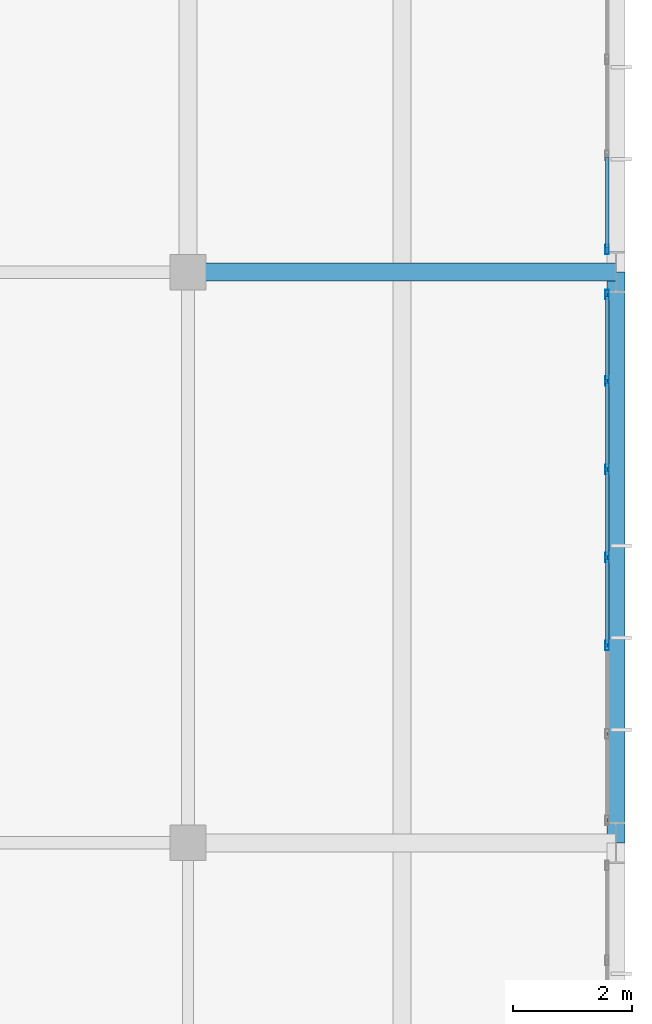
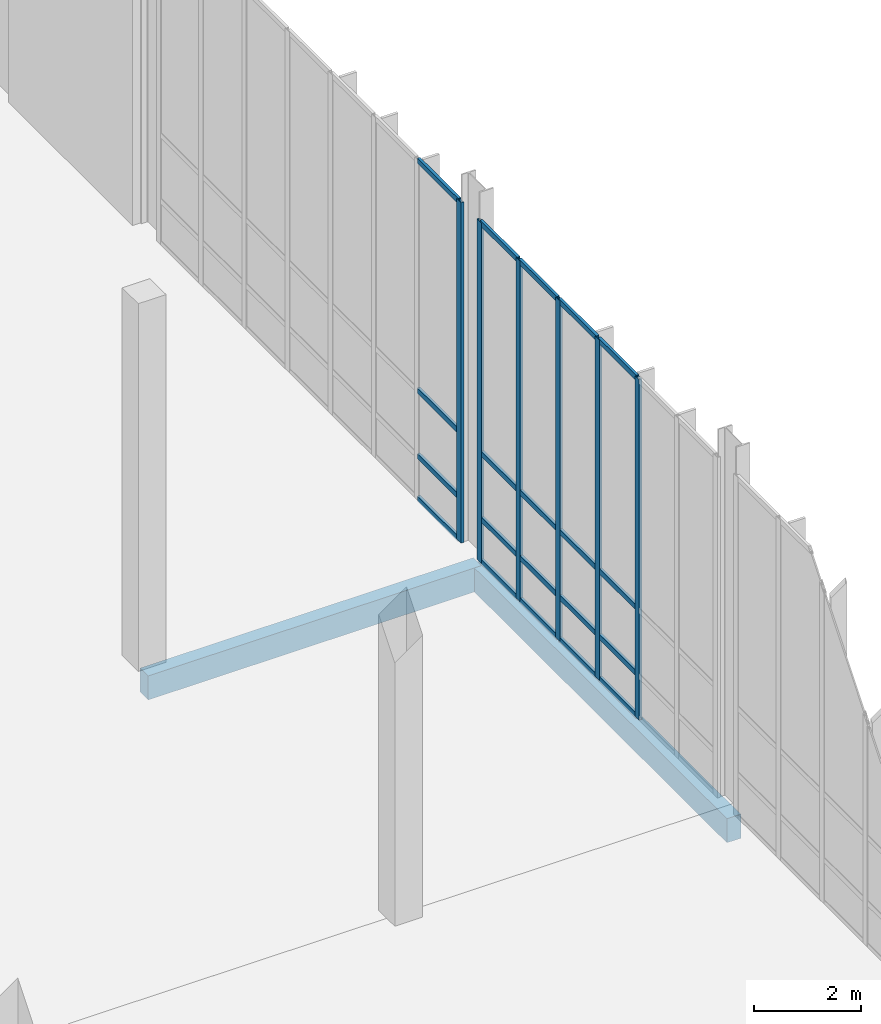
# One storey, part 94 of 131: 26 members, 2 beams, 2 elements without a shape of their own.
"""IFC4 building model written with IfcOpenShell, lengths in metres."""

import ifcopenshell
import ifcopenshell.guid

model = None  # the IFC model being written
_history = None  # IfcOwnerHistory: only IFC2X3 demands one
_inside = {}  # id of a spatial element -> (the spatial element, [elements in it])
_under = {}  # id of a project, library or spatial element -> (it, [spatial elements below it])
_declared = {}  # id of a project -> (the project, [libraries it declares])
_typed = {}  # id of a type object -> (the type object, [elements of that type])
_made_of = {}  # id of a material, layer set ... -> (it, [elements and type objects made of it])


def new_model(schema):
    """Start an empty IFC model of exactly this schema.

    Asked for "IFC4X3", IfcOpenShell would pick the latest addendum, in which some entities
    have other attributes; the version numbers below select the first issue.
    IFC2X3 requires an IfcOwnerHistory on every rooted entity: one is made here for all.
    """
    global model, _history
    if schema == "IFC4X3":
        model = ifcopenshell.file(schema_version=(4, 3, 0, 0))
    else:
        model = ifcopenshell.file(schema=schema)
    _inside.clear()
    _under.clear()
    _declared.clear()
    _typed.clear()
    _made_of.clear()
    _history = None
    if model.schema == "IFC2X3":
        org = make("IfcOrganization", Name="unknown")
        user = make(
            "IfcPersonAndOrganization",
            ThePerson=make("IfcPerson", FamilyName="unknown"),
            TheOrganization=org,
        )
        app = make(
            "IfcApplication",
            ApplicationDeveloper=org,
            Version="unknown",
            ApplicationFullName="unknown",
            ApplicationIdentifier="unknown",
        )
        _history = make(
            "IfcOwnerHistory",
            OwningUser=user,
            OwningApplication=app,
            ChangeAction="ADDED",
            CreationDate=0,
        )
    return model


def make(cls, **values):
    """One entity of the class cls with the attributes given. An attribute that is None is left unset."""
    return model.create_entity(
        cls, **{name: value for name, value in values.items() if value is not None}
    )


def rooted(cls, **values):
    """An entity with a GlobalId (a new one), such as an element, a storey or a relation."""
    return make(cls, GlobalId=ifcopenshell.guid.new(), OwnerHistory=_history, **values)


def si_unit(unit_type, name, prefix=None):
    """IfcSIUnit, for example si_unit("LENGTHUNIT", "METRE", prefix="MILLI")."""
    return make("IfcSIUnit", UnitType=unit_type, Prefix=prefix, Name=name)


def assignment(units):
    """IfcUnitAssignment: the units of a project."""
    return None if units is None else make("IfcUnitAssignment", Units=units)


def point(xyz):
    """IfcCartesianPoint."""
    return None if xyz is None else make("IfcCartesianPoint", Coordinates=xyz)


def direction(xyz):
    """IfcDirection."""
    return None if xyz is None else make("IfcDirection", DirectionRatios=xyz)


def frame(location, z_axis=None, x_axis=None):
    """IfcAxis2Placement3D, a coordinate frame: its origin and axes. An axis left out is left unset."""
    return make(
        "IfcAxis2Placement3D",
        Location=point(location),
        Axis=direction(z_axis),
        RefDirection=direction(x_axis),
    )


def frame_2d(location, x_axis=None):
    """IfcAxis2Placement2D, a coordinate frame in the plane: its origin and x axis."""
    return make(
        "IfcAxis2Placement2D", Location=point(location), RefDirection=direction(x_axis)
    )


def origin():
    """The frame at (0, 0, 0) with its axes left unset."""
    return frame((0.0, 0.0, 0.0))


def origin_2d():
    """The frame at (0, 0) in the plane with its x axis left unset."""
    return frame_2d((0.0, 0.0))


def place(relative_to, where):
    """IfcLocalPlacement: puts the frame where relative to a parent placement (None: the world)."""
    return make(
        "IfcLocalPlacement", PlacementRelTo=relative_to, RelativePlacement=where
    )


def context(
    kind, dimensions, precision=None, world=None, true_north=None, identifier=None
):
    """IfcGeometricRepresentationContext, for example the 3D "Model" context."""
    return make(
        "IfcGeometricRepresentationContext",
        ContextIdentifier=identifier,
        ContextType=kind,
        CoordinateSpaceDimension=dimensions,
        Precision=precision,
        WorldCoordinateSystem=world,
        TrueNorth=true_north,
    )


def subcontext(parent, identifier, kind, view, scale=None):
    """IfcGeometricRepresentationSubContext, for example "Body" below "Model"."""
    return make(
        "IfcGeometricRepresentationSubContext",
        ContextIdentifier=identifier,
        ContextType=kind,
        ParentContext=parent,
        TargetScale=scale,
        TargetView=view,
    )


def project(units=None, contexts=None):
    """IfcProject with its units and contexts."""
    return rooted(
        "IfcProject",
        Name="project",
        RepresentationContexts=contexts,
        UnitsInContext=assignment(units),
    )


def spatial(cls, under=None, at=None, **own):
    """A site, building, storey or space (cls), placed at a placement, below another one or the project."""
    s = rooted(cls, ObjectPlacement=at, **own)
    if under is not None:
        _under.setdefault(under.id(), (under, []))[1].append(s)
    return s


def profile(cls, at=None, kind="AREA", **sizes):
    """A parametric profile (cls). Its sizes go by their IFC names, for example OverallWidth=200.0."""
    return make(cls, ProfileType=kind, Position=at, **sizes)


def rectangle(**sizes):
    """IfcRectangleProfileDef."""
    return profile("IfcRectangleProfileDef", **sizes)


def hollow_rectangle(**sizes):
    """IfcRectangleHollowProfileDef."""
    return profile("IfcRectangleHollowProfileDef", **sizes)


def extrude(swept, where, along, depth):
    """IfcExtrudedAreaSolid: the profile swept, set in the frame where, extruded along a direction by depth."""
    return make(
        "IfcExtrudedAreaSolid",
        SweptArea=swept,
        Position=where,
        ExtrudedDirection=direction(along),
        Depth=depth,
    )


def shape(context_of_items, identifier, shape_type, items):
    """IfcShapeRepresentation: the items that make up one representation, for example the "Body"."""
    return make(
        "IfcShapeRepresentation",
        ContextOfItems=context_of_items,
        RepresentationIdentifier=identifier,
        RepresentationType=shape_type,
        Items=items,
    )


def material(Name=None, Category=None):
    """IfcMaterial."""
    return make("IfcMaterial", Name=Name, Category=Category)


def material_profile(
    of_material, cross_section, Name=None, Category=None, Priority=None
):
    """IfcMaterialProfile: a cross section and its material."""
    return make(
        "IfcMaterialProfile",
        Name=Name,
        Material=of_material,
        Profile=cross_section,
        Priority=Priority,
        Category=Category,
    )


def profile_set(profiles, Name=None, composite=None):
    """IfcMaterialProfileSet."""
    return make(
        "IfcMaterialProfileSet",
        Name=Name,
        MaterialProfiles=profiles,
        CompositeProfile=composite,
    )


def made_of(thing, what):
    """Note that an element or type object is made of a material, layer set ...; save() writes the relation."""
    if what is not None:
        _made_of.setdefault(what.id(), (what, []))[1].append(thing)
    return thing


def type_object(cls, material=None, **own):
    """A type object (cls), such as IfcWallType, which elements share."""
    return made_of(rooted(cls, **own), material)


def element(
    cls,
    number,
    at=None,
    inside=None,
    cuts=None,
    type_object=None,
    material=None,
    context=None,
    identifier="Body",
    shape_type=None,
    held_by="IfcProductDefinitionShape",
    body=None,
    shapes=None,
    **own,
):
    """One element of the class cls, such as IfcWall. Its Tag is "e" and its number.

    at: its placement. inside: the storey or other place that contains it. cuts: it is an
    opening in that element (IfcRelVoidsElement). A single representation is given by context,
    identifier, shape_type and body (its items); several are given by shapes. held_by: the class
    of the entity that holds the representations. save() writes the other relations.
    """
    e = rooted(cls, Tag="e%d" % number, ObjectPlacement=at, **own)
    if body is not None:
        shapes = [shape(context, identifier, shape_type, body)]
    if shapes is not None:
        e.Representation = make(held_by, Representations=shapes)
    if inside is not None:
        _inside.setdefault(inside.id(), (inside, []))[1].append(e)
    if cuts is not None:
        rooted(
            "IfcRelVoidsElement", RelatingBuildingElement=cuts, RelatedOpeningElement=e
        )
    if type_object is not None:
        _typed.setdefault(type_object.id(), (type_object, []))[1].append(e)
    return made_of(e, material)


def aggregate(whole, parts):
    """IfcRelAggregates: a whole, such as a stair, and the parts it consists of."""
    return rooted("IfcRelAggregates", RelatingObject=whole, RelatedObjects=parts)


def save(model, path):
    """Write the relations noted so far, then the file.

    IfcRelAggregates (storeys below a building ...), IfcRelContainedInSpatialStructure (elements
    in a storey), IfcRelDefinesByType, IfcRelAssociatesMaterial and IfcRelDeclares: one each for
    every whole, place, type object, material and project.
    """
    for whole, parts in _under.values():
        aggregate(whole, parts)
    for where, things in _inside.values():
        rooted(
            "IfcRelContainedInSpatialStructure",
            RelatedElements=things,
            RelatingStructure=where,
        )
    for kind, things in _typed.values():
        rooted("IfcRelDefinesByType", RelatedObjects=things, RelatingType=kind)
    for what, things in _made_of.values():
        rooted("IfcRelAssociatesMaterial", RelatedObjects=things, RelatingMaterial=what)
    for by, libraries in _declared.values():
        rooted("IfcRelDeclares", RelatingContext=by, RelatedDefinitions=libraries)
    model.write(path)


model = new_model("IFC4")

# Units and contexts
model_context = context("Model", 3, precision=1e-05, world=origin(), true_north=direction((0.0, 1.0)))
body_context = subcontext(model_context, "Body", "Model", "MODEL_VIEW")
ifc_project = project(units=[si_unit("LENGTHUNIT", "METRE"), si_unit("AREAUNIT", "SQUARE_METRE"), si_unit("VOLUMEUNIT", "CUBIC_METRE"), si_unit("PLANEANGLEUNIT", "RADIAN"), si_unit("MASSUNIT", "GRAM", prefix="KILO")], contexts=[model_context])

# Site, building, storey
site_placement = place(None, origin())
site = spatial("IfcSite", under=ifc_project, at=site_placement, CompositionType="ELEMENT")
building_placement = place(site_placement, origin())
building = spatial("IfcBuilding", under=site, at=building_placement, Name="Veltarok Museum of Natural Sciences", CompositionType="ELEMENT")
storey_placement = place(building_placement, origin())
storey = spatial("IfcBuildingStorey", under=building, at=storey_placement, Name="L00", CompositionType="ELEMENT", Elevation=0.0)

# Curtain wall, members
ifc_material_1 = material(Name="Low-iron triple insulated glass", Category="glass")
curtain_wall_type_1 = type_object("IfcCurtainWallType", Name="Curtain Wall System CW-V5E-L00-D-890x778 (V5 East Lab L00 D-E 890x778cm)", PredefinedType="NOTDEFINED", material=ifc_material_1)
curtain_wall_1_placement = place(storey_placement, origin())
curtain_wall_1 = element("IfcCurtainWall", 1, at=curtain_wall_1_placement, inside=storey, type_object=curtain_wall_type_1, Name="Curtain Wall CW-V5E-L00-D-890x778 CW-0101", PredefinedType="NOTDEFINED")
ifc_material_2 = material(Name="Thermally broken anodised aluminium", Category="aluminium")
ifc_material_profile_1 = material_profile(ifc_material_2, hollow_rectangle(XDim=0.06005859375, YDim=0.1201171875, WallThickness=0.0048828125, at=origin_2d()), Name="CW TRANSOM 60x120x5")
ifc_profile_set_1 = profile_set([ifc_material_profile_1], Name="Thermally broken anodised aluminium")
member_type_1 = type_object("IfcMemberType", Name="Curtain Wall Horizontal Transom 60x120x5", PredefinedType="USERDEFINED", material=ifc_profile_set_1)
member_1_placement = place(storey_placement, frame((164.64990234375, 29.74658203125, 0.030029296875), z_axis=(0.0, 1.0, 0.0), x_axis=(-1.0, 0.0, 0.0)))
member_1 = element("IfcMember", 2, at=member_1_placement, type_object=member_type_1, Name="CW-V5E-L00-D-890x778 transom 3.1", ObjectType="TRANSOM", PredefinedType="USERDEFINED", context=body_context, shape_type="SweptSolid", body=[
    extrude(hollow_rectangle(XDim=0.06005859375, YDim=0.1201171875, WallThickness=0.0048828125, at=origin_2d()), origin(), (0.0, 0.0, 1.0), 1.42333984375),
])
member_2_placement = place(storey_placement, frame((164.64990234375, 29.74658203125, 1.0), z_axis=(0.0, 1.0, 0.0), x_axis=(-1.0, 0.0, 0.0)))
member_2 = element("IfcMember", 3, at=member_2_placement, type_object=member_type_1, Name="CW-V5E-L00-D-890x778 transom 3.2", ObjectType="TRANSOM", PredefinedType="USERDEFINED", context=body_context, shape_type="SweptSolid", body=[
    extrude(hollow_rectangle(XDim=0.06005859375, YDim=0.1201171875, WallThickness=0.0048828125, at=origin_2d()), origin(), (0.0, 0.0, 1.0), 1.42333984375),
])
member_3_placement = place(storey_placement, frame((164.64990234375, 29.74658203125, 2.5), z_axis=(0.0, 1.0, 0.0), x_axis=(-1.0, 0.0, 0.0)))
member_3 = element("IfcMember", 4, at=member_3_placement, type_object=member_type_1, Name="CW-V5E-L00-D-890x778 transom 3.3", ObjectType="TRANSOM", PredefinedType="USERDEFINED", context=body_context, shape_type="SweptSolid", body=[
    extrude(hollow_rectangle(XDim=0.06005859375, YDim=0.1201171875, WallThickness=0.0048828125, at=origin_2d()), origin(), (0.0, 0.0, 1.0), 1.42333984375),
])
member_4_placement = place(storey_placement, frame((164.64990234375, 29.74658203125, 7.75), z_axis=(0.0, 1.0, 0.0), x_axis=(-1.0, 0.0, 0.0)))
member_4 = element("IfcMember", 5, at=member_4_placement, type_object=member_type_1, Name="CW-V5E-L00-D-890x778 transom 3.4", ObjectType="TRANSOM", PredefinedType="USERDEFINED", context=body_context, shape_type="SweptSolid", body=[
    extrude(hollow_rectangle(XDim=0.06005859375, YDim=0.1201171875, WallThickness=0.0048828125, at=origin_2d()), origin(), (0.0, 0.0, 1.0), 1.42333984375),
])
member_5_placement = place(storey_placement, frame((164.64990234375, 31.22998046875, 0.030029296875), z_axis=(0.0, 1.0, 0.0), x_axis=(-1.0, 0.0, 0.0)))
member_5 = element("IfcMember", 6, at=member_5_placement, type_object=member_type_1, Name="CW-V5E-L00-D-890x778 transom 4.1", ObjectType="TRANSOM", PredefinedType="USERDEFINED", context=body_context, shape_type="SweptSolid", body=[
    extrude(hollow_rectangle(XDim=0.06005859375, YDim=0.1201171875, WallThickness=0.0048828125, at=origin_2d()), origin(), (0.0, 0.0, 1.0), 1.42333984375),
])
member_6_placement = place(storey_placement, frame((164.64990234375, 31.22998046875, 1.0), z_axis=(0.0, 1.0, 0.0), x_axis=(-1.0, 0.0, 0.0)))
member_6 = element("IfcMember", 7, at=member_6_placement, type_object=member_type_1, Name="CW-V5E-L00-D-890x778 transom 4.2", ObjectType="TRANSOM", PredefinedType="USERDEFINED", context=body_context, shape_type="SweptSolid", body=[
    extrude(hollow_rectangle(XDim=0.06005859375, YDim=0.1201171875, WallThickness=0.0048828125, at=origin_2d()), origin(), (0.0, 0.0, 1.0), 1.42333984375),
])
member_7_placement = place(storey_placement, frame((164.64990234375, 31.22998046875, 2.5), z_axis=(0.0, 1.0, 0.0), x_axis=(-1.0, 0.0, 0.0)))
member_7 = element("IfcMember", 8, at=member_7_placement, type_object=member_type_1, Name="CW-V5E-L00-D-890x778 transom 4.3", ObjectType="TRANSOM", PredefinedType="USERDEFINED", context=body_context, shape_type="SweptSolid", body=[
    extrude(hollow_rectangle(XDim=0.06005859375, YDim=0.1201171875, WallThickness=0.0048828125, at=origin_2d()), origin(), (0.0, 0.0, 1.0), 1.42333984375),
])
member_8_placement = place(storey_placement, frame((164.64990234375, 31.22998046875, 7.75), z_axis=(0.0, 1.0, 0.0), x_axis=(-1.0, 0.0, 0.0)))
member_8 = element("IfcMember", 9, at=member_8_placement, type_object=member_type_1, Name="CW-V5E-L00-D-890x778 transom 4.4", ObjectType="TRANSOM", PredefinedType="USERDEFINED", context=body_context, shape_type="SweptSolid", body=[
    extrude(hollow_rectangle(XDim=0.06005859375, YDim=0.1201171875, WallThickness=0.0048828125, at=origin_2d()), origin(), (0.0, 0.0, 1.0), 1.42333984375),
])
member_9_placement = place(storey_placement, frame((164.64990234375, 32.71337890625, 0.030029296875), z_axis=(0.0, 1.0, 0.0), x_axis=(-1.0, 0.0, 0.0)))
member_9 = element("IfcMember", 10, at=member_9_placement, type_object=member_type_1, Name="CW-V5E-L00-D-890x778 transom 5.1", ObjectType="TRANSOM", PredefinedType="USERDEFINED", context=body_context, shape_type="SweptSolid", body=[
    extrude(hollow_rectangle(XDim=0.06005859375, YDim=0.1201171875, WallThickness=0.0048828125, at=origin_2d()), origin(), (0.0, 0.0, 1.0), 1.42333984375),
])
member_10_placement = place(storey_placement, frame((164.64990234375, 32.71337890625, 1.0), z_axis=(0.0, 1.0, 0.0), x_axis=(-1.0, 0.0, 0.0)))
member_10 = element("IfcMember", 11, at=member_10_placement, type_object=member_type_1, Name="CW-V5E-L00-D-890x778 transom 5.2", ObjectType="TRANSOM", PredefinedType="USERDEFINED", context=body_context, shape_type="SweptSolid", body=[
    extrude(hollow_rectangle(XDim=0.06005859375, YDim=0.1201171875, WallThickness=0.0048828125, at=origin_2d()), origin(), (0.0, 0.0, 1.0), 1.42333984375),
])
member_11_placement = place(storey_placement, frame((164.64990234375, 32.71337890625, 2.5), z_axis=(0.0, 1.0, 0.0), x_axis=(-1.0, 0.0, 0.0)))
member_11 = element("IfcMember", 12, at=member_11_placement, type_object=member_type_1, Name="CW-V5E-L00-D-890x778 transom 5.3", ObjectType="TRANSOM", PredefinedType="USERDEFINED", context=body_context, shape_type="SweptSolid", body=[
    extrude(hollow_rectangle(XDim=0.06005859375, YDim=0.1201171875, WallThickness=0.0048828125, at=origin_2d()), origin(), (0.0, 0.0, 1.0), 1.42333984375),
])
member_12_placement = place(storey_placement, frame((164.64990234375, 32.71337890625, 7.75), z_axis=(0.0, 1.0, 0.0), x_axis=(-1.0, 0.0, 0.0)))
member_12 = element("IfcMember", 13, at=member_12_placement, type_object=member_type_1, Name="CW-V5E-L00-D-890x778 transom 5.4", ObjectType="TRANSOM", PredefinedType="USERDEFINED", context=body_context, shape_type="SweptSolid", body=[
    extrude(hollow_rectangle(XDim=0.06005859375, YDim=0.1201171875, WallThickness=0.0048828125, at=origin_2d()), origin(), (0.0, 0.0, 1.0), 1.42333984375),
])
member_13_placement = place(storey_placement, frame((164.64990234375, 34.19677734375, 0.030029296875), z_axis=(0.0, 1.0, 0.0), x_axis=(-1.0, 0.0, 0.0)))
member_13 = element("IfcMember", 14, at=member_13_placement, type_object=member_type_1, Name="CW-V5E-L00-D-890x778 transom 6.1", ObjectType="TRANSOM", PredefinedType="USERDEFINED", context=body_context, shape_type="SweptSolid", body=[
    extrude(hollow_rectangle(XDim=0.06005859375, YDim=0.1201171875, WallThickness=0.0048828125, at=origin_2d()), origin(), (0.0, 0.0, 1.0), 1.393310546875),
])
member_14_placement = place(storey_placement, frame((164.64990234375, 34.19677734375, 1.0), z_axis=(0.0, 1.0, 0.0), x_axis=(-1.0, 0.0, 0.0)))
member_14 = element("IfcMember", 15, at=member_14_placement, type_object=member_type_1, Name="CW-V5E-L00-D-890x778 transom 6.2", ObjectType="TRANSOM", PredefinedType="USERDEFINED", context=body_context, shape_type="SweptSolid", body=[
    extrude(hollow_rectangle(XDim=0.06005859375, YDim=0.1201171875, WallThickness=0.0048828125, at=origin_2d()), origin(), (0.0, 0.0, 1.0), 1.393310546875),
])
member_15_placement = place(storey_placement, frame((164.64990234375, 34.19677734375, 2.5), z_axis=(0.0, 1.0, 0.0), x_axis=(-1.0, 0.0, 0.0)))
member_15 = element("IfcMember", 16, at=member_15_placement, type_object=member_type_1, Name="CW-V5E-L00-D-890x778 transom 6.3", ObjectType="TRANSOM", PredefinedType="USERDEFINED", context=body_context, shape_type="SweptSolid", body=[
    extrude(hollow_rectangle(XDim=0.06005859375, YDim=0.1201171875, WallThickness=0.0048828125, at=origin_2d()), origin(), (0.0, 0.0, 1.0), 1.393310546875),
])
member_16_placement = place(storey_placement, frame((164.64990234375, 34.19677734375, 7.75), z_axis=(0.0, 1.0, 0.0), x_axis=(-1.0, 0.0, 0.0)))
member_16 = element("IfcMember", 17, at=member_16_placement, type_object=member_type_1, Name="CW-V5E-L00-D-890x778 transom 6.4", ObjectType="TRANSOM", PredefinedType="USERDEFINED", context=body_context, shape_type="SweptSolid", body=[
    extrude(hollow_rectangle(XDim=0.06005859375, YDim=0.1201171875, WallThickness=0.0048828125, at=origin_2d()), origin(), (0.0, 0.0, 1.0), 1.393310546875),
])

curtain_wall_type_2 = type_object("IfcCurtainWallType", Name="Curtain Wall System CW-V5E-L00-E-1130x778 (V5 East Lab L00 E-F 1130x778cm)", PredefinedType="NOTDEFINED", material=ifc_material_1)
curtain_wall_2_placement = place(storey_placement, origin())
curtain_wall_2 = element("IfcCurtainWall", 18, at=curtain_wall_2_placement, inside=storey, type_object=curtain_wall_type_2, Name="Curtain Wall CW-V5E-L00-E-1130x778 CW-0102", PredefinedType="NOTDEFINED")
member_17_placement = place(storey_placement, frame((164.64990234375, 36.409912109375, 0.030029296875), z_axis=(0.0, 1.0, 0.0), x_axis=(-1.0, 0.0, 0.0)))
member_17 = element("IfcMember", 19, at=member_17_placement, type_object=member_type_1, Name="CW-V5E-L00-E-1130x778 transom 1.1", ObjectType="TRANSOM", PredefinedType="USERDEFINED", context=body_context, shape_type="SweptSolid", body=[
    extrude(hollow_rectangle(XDim=0.06005859375, YDim=0.1201171875, WallThickness=0.0048828125, at=origin_2d()), origin(), (0.0, 0.0, 1.0), 1.5244140625),
])
member_18_placement = place(storey_placement, frame((164.64990234375, 36.409912109375, 1.0), z_axis=(0.0, 1.0, 0.0), x_axis=(-1.0, 0.0, 0.0)))
member_18 = element("IfcMember", 20, at=member_18_placement, type_object=member_type_1, Name="CW-V5E-L00-E-1130x778 transom 1.2", ObjectType="TRANSOM", PredefinedType="USERDEFINED", context=body_context, shape_type="SweptSolid", body=[
    extrude(hollow_rectangle(XDim=0.06005859375, YDim=0.1201171875, WallThickness=0.0048828125, at=origin_2d()), origin(), (0.0, 0.0, 1.0), 1.5244140625),
])
member_19_placement = place(storey_placement, frame((164.64990234375, 36.409912109375, 2.5), z_axis=(0.0, 1.0, 0.0), x_axis=(-1.0, 0.0, 0.0)))
member_19 = element("IfcMember", 21, at=member_19_placement, type_object=member_type_1, Name="CW-V5E-L00-E-1130x778 transom 1.3", ObjectType="TRANSOM", PredefinedType="USERDEFINED", context=body_context, shape_type="SweptSolid", body=[
    extrude(hollow_rectangle(XDim=0.06005859375, YDim=0.1201171875, WallThickness=0.0048828125, at=origin_2d()), origin(), (0.0, 0.0, 1.0), 1.5244140625),
])
member_20_placement = place(storey_placement, frame((164.64990234375, 36.409912109375, 7.75), z_axis=(0.0, 1.0, 0.0), x_axis=(-1.0, 0.0, 0.0)))
member_20 = element("IfcMember", 22, at=member_20_placement, type_object=member_type_1, Name="CW-V5E-L00-E-1130x778 transom 1.4", ObjectType="TRANSOM", PredefinedType="USERDEFINED", context=body_context, shape_type="SweptSolid", body=[
    extrude(hollow_rectangle(XDim=0.06005859375, YDim=0.1201171875, WallThickness=0.0048828125, at=origin_2d()), origin(), (0.0, 0.0, 1.0), 1.5244140625),
])

# Member
ifc_material_profile_2 = material_profile(ifc_material_2, hollow_rectangle(XDim=0.06005859375, YDim=0.159912109375, WallThickness=0.0048828125, at=origin_2d()), Name="CW MULLION 60x160x5")
ifc_profile_set_2 = profile_set([ifc_material_profile_2], Name="Thermally broken anodised aluminium")
member_type_2 = type_object("IfcMemberType", Name="Curtain Wall Vertical Mullion 60x160x5", PredefinedType="MULLION", material=ifc_profile_set_2)
member_21_placement = place(storey_placement, frame((164.64990234375, 29.716552734375, 0.0), z_axis=(0.0, 0.0, 1.0), x_axis=(-1.0, 0.0, 0.0)))
member_21 = element("IfcMember", 23, at=member_21_placement, type_object=member_type_2, Name="CW-V5E-L00-D-890x778 mullion 3", PredefinedType="MULLION", context=body_context, shape_type="SweptSolid", body=[
    extrude(hollow_rectangle(XDim=0.06005859375, YDim=0.159912109375, WallThickness=0.0048828125, at=origin_2d()), origin(), (0.0, 0.0, 1.0), 7.780029296875),
])

member_22_placement = place(storey_placement, frame((164.64990234375, 31.199951171875, 0.0), z_axis=(0.0, 0.0, 1.0), x_axis=(-1.0, 0.0, 0.0)))
member_22 = element("IfcMember", 24, at=member_22_placement, type_object=member_type_2, Name="CW-V5E-L00-D-890x778 mullion 4", PredefinedType="MULLION", context=body_context, shape_type="SweptSolid", body=[
    extrude(hollow_rectangle(XDim=0.06005859375, YDim=0.159912109375, WallThickness=0.0048828125, at=origin_2d()), origin(), (0.0, 0.0, 1.0), 7.780029296875),
])

member_23_placement = place(storey_placement, frame((164.64990234375, 32.683349609375, 0.0), z_axis=(0.0, 0.0, 1.0), x_axis=(-1.0, 0.0, 0.0)))
member_23 = element("IfcMember", 25, at=member_23_placement, type_object=member_type_2, Name="CW-V5E-L00-D-890x778 mullion 5", PredefinedType="MULLION", context=body_context, shape_type="SweptSolid", body=[
    extrude(hollow_rectangle(XDim=0.06005859375, YDim=0.159912109375, WallThickness=0.0048828125, at=origin_2d()), origin(), (0.0, 0.0, 1.0), 7.780029296875),
])

member_24_placement = place(storey_placement, frame((164.64990234375, 34.166748046875, 0.0), z_axis=(0.0, 0.0, 1.0), x_axis=(-1.0, 0.0, 0.0)))
member_24 = element("IfcMember", 26, at=member_24_placement, type_object=member_type_2, Name="CW-V5E-L00-D-890x778 mullion 6", PredefinedType="MULLION", context=body_context, shape_type="SweptSolid", body=[
    extrude(hollow_rectangle(XDim=0.06005859375, YDim=0.159912109375, WallThickness=0.0048828125, at=origin_2d()), origin(), (0.0, 0.0, 1.0), 7.780029296875),
])

member_25_placement = place(storey_placement, frame((164.64990234375, 35.6201171875, 0.0), z_axis=(0.0, 0.0, 1.0), x_axis=(-1.0, 0.0, 0.0)))
member_25 = element("IfcMember", 27, at=member_25_placement, type_object=member_type_2, Name="CW-V5E-L00-D-890x778 mullion 7", PredefinedType="MULLION", context=body_context, shape_type="SweptSolid", body=[
    extrude(hollow_rectangle(XDim=0.06005859375, YDim=0.159912109375, WallThickness=0.0048828125, at=origin_2d()), origin(), (0.0, 0.0, 1.0), 7.780029296875),
])

aggregate(curtain_wall_1, [member_21, member_22, member_23, member_24, member_25, member_1, member_2, member_3, member_4, member_5, member_6, member_7, member_8, member_9, member_10, member_11, member_12, member_13, member_14, member_15, member_16])

member_26_placement = place(storey_placement, frame((164.64990234375, 36.3798828125, 0.0), z_axis=(0.0, 0.0, 1.0), x_axis=(-1.0, 0.0, 0.0)))
member_26 = element("IfcMember", 28, at=member_26_placement, type_object=member_type_2, Name="CW-V5E-L00-E-1130x778 mullion 1", PredefinedType="MULLION", context=body_context, shape_type="SweptSolid", body=[
    extrude(hollow_rectangle(XDim=0.06005859375, YDim=0.159912109375, WallThickness=0.0048828125, at=origin_2d()), origin(), (0.0, 0.0, 1.0), 7.780029296875),
])

aggregate(curtain_wall_2, [member_26, member_17, member_18, member_19, member_20])

# Beams
ifc_material_3 = material(Name="Precast concrete C40/50", Category="concrete")
ifc_material_profile_3 = material_profile(ifc_material_3, rectangle(XDim=0.300048828125, YDim=0.550048828125, at=origin_2d()), Name="RC 300x550")
ifc_profile_set_3 = profile_set([ifc_material_profile_3], Name="Precast concrete C40/50")
beam_type = type_object("IfcBeamType", Name="East Wing Precast Spandrel RC 300x550", PredefinedType="SPANDREL", material=ifc_profile_set_3)
beam_1_placement = place(storey_placement, frame((157.60009765625, 36.0, -0.574951171875), z_axis=(1.0, 0.0, 0.0), x_axis=(0.0, 1.0, 0.0)))
element("IfcBeam", 29, at=beam_1_placement, inside=storey, type_object=beam_type, Name="Beam BM-SP02 L00 19-20/E", PredefinedType="SPANDREL", context=body_context, shape_type="SweptSolid", body=[
    extrude(rectangle(XDim=0.300048828125, YDim=0.550048828125, at=origin_2d()), origin(), (0.0, 0.0, 1.0), 7.199951171875),
])
beam_2_placement = place(storey_placement, frame((164.800048828125, 26.39990234375, -0.574951171875), z_axis=(0.0, 1.0, 0.0), x_axis=(-1.0, 0.0, 0.0)))
element("IfcBeam", 30, at=beam_2_placement, inside=storey, type_object=beam_type, Name="Beam BM-SP02 L00 20/D-E", PredefinedType="SPANDREL", context=body_context, shape_type="SweptSolid", body=[
    extrude(rectangle(XDim=0.300048828125, YDim=0.550048828125, at=origin_2d()), origin(), (0.0, 0.0, 1.0), 9.60009765625),
])

save(model, "model.ifc")
